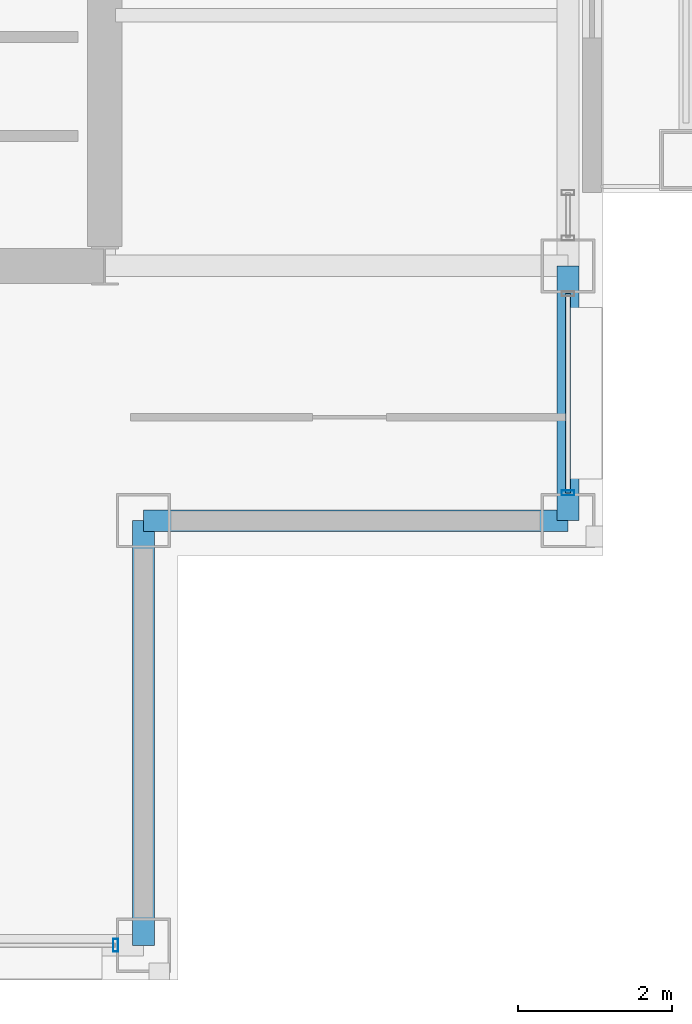
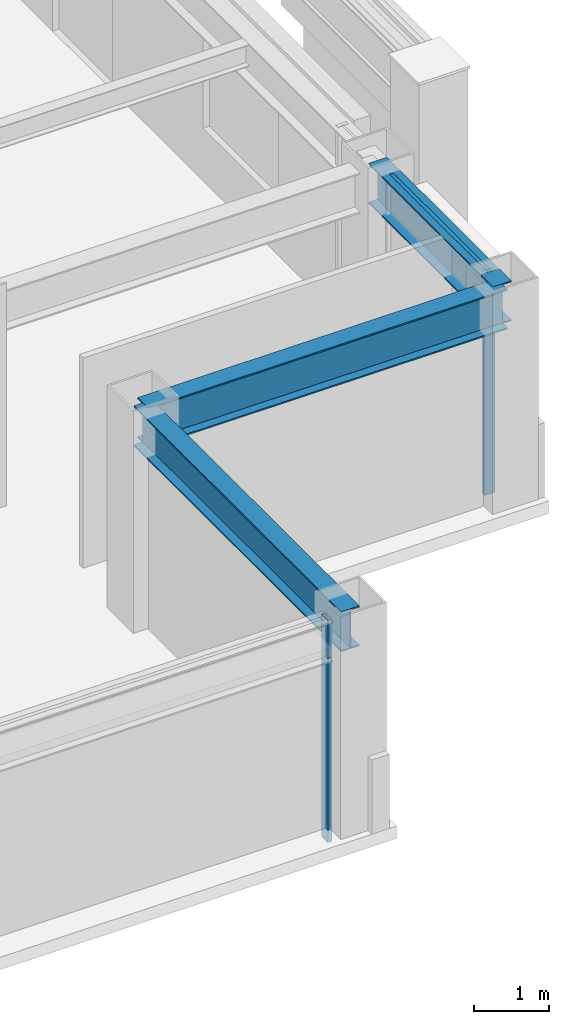
# One storey, part 12 of 29: 3 beams, 3 members, 2 elements without a shape of their own.
"""IFC4 building model written with IfcOpenShell, lengths in metres."""

from ifc_helpers import new_model, si_unit, direction, frame, origin, origin_2d, place, context, subcontext, project, spatial, hollow_rectangle, i_section, extrude, material, layer, layer_set, material_profile, profile_set, type_object, element, aggregate, save


model = new_model("IFC4")

# Units and contexts
model_context = context("Model", 3, precision=1e-05, world=origin(), true_north=direction((0.0, 1.0)))
body_context = subcontext(model_context, "Body", "Model", "MODEL_VIEW")
ifc_project = project(units=[si_unit("LENGTHUNIT", "METRE"), si_unit("AREAUNIT", "SQUARE_METRE"), si_unit("VOLUMEUNIT", "CUBIC_METRE"), si_unit("PLANEANGLEUNIT", "RADIAN"), si_unit("MASSUNIT", "GRAM", prefix="KILO")], contexts=[model_context])

# Site, building, storey
site_placement = place(None, origin())
site = spatial("IfcSite", under=ifc_project, at=site_placement, CompositionType="ELEMENT")
building_placement = place(site_placement, origin())
building = spatial("IfcBuilding", under=site, at=building_placement, Name="Brelmoor Portico Tower", CompositionType="ELEMENT")
storey_placement = place(building_placement, frame((0.0, 0.0, 201.89990234375)))
storey = spatial("IfcBuildingStorey", under=building, at=storey_placement, Name="L53", CompositionType="ELEMENT", Elevation=201.89990234375)

# Beams
ifc_material_1 = material(Name="Steel Q355B", Category="steel")
ifc_material_profile_1 = material_profile(ifc_material_1, i_section(OverallWidth=0.280029296875, OverallDepth=0.64990234375, WebThickness=0.012939453125, FlangeThickness=0.02197265625, at=origin_2d()), Name="HN 650x280x13x22")
ifc_profile_set_1 = profile_set([ifc_material_profile_1], Name="Steel Q355B")
beam_type = type_object("IfcBeamType", Name="BM-SP-650", PredefinedType="SPANDREL", material=ifc_profile_set_1)
for number, where, z_axis, x_axis, name in (
    (1, (15.050048828125, -13.050048828125, 3.0751953125), (1.0, 0.0, 0.0), (0.0, 1.0, 0.0), "L53 Perimeter Spandrel Beam SP-05"),
    (2, (15.050048828125, -18.550048828125, 3.0751953125), (0.0, 1.0, 0.0), (-1.0, 0.0, 0.0), "L53 Perimeter Spandrel Beam SP-16"),
):
    element("IfcBeam", number, at=place(storey_placement, frame(where, z_axis=z_axis, x_axis=x_axis)), inside=storey, type_object=beam_type, Name=name, PredefinedType="SPANDREL", context=body_context, shape_type="SweptSolid", body=[
        extrude(i_section(OverallWidth=0.280029296875, OverallDepth=0.64990234375, WebThickness=0.012939453125, FlangeThickness=0.02197265625, at=origin_2d()), origin(), (0.0, 0.0, 1.0), 5.5),
    ])
beam_placement = place(storey_placement, frame((20.550048828125, -13.050048828125, 3.0751953125), z_axis=(0.0, 1.0, 0.0), x_axis=(-1.0, 0.0, 0.0)))
element("IfcBeam", 3, at=beam_placement, inside=storey, type_object=beam_type, Name="L53 Perimeter Spandrel Beam SP-18", PredefinedType="SPANDREL", context=body_context, shape_type="SweptSolid", body=[
    extrude(i_section(OverallWidth=0.280029296875, OverallDepth=0.64990234375, WebThickness=0.012939453125, FlangeThickness=0.02197265625, at=origin_2d()), origin(), (0.0, 0.0, 1.0), 3.300048828125),
])

# Curtain wall, member
ifc_material_2 = material(Name="Anodised Aluminium Alloy 6063-T6", Category="aluminium")
ifc_layer = layer(ifc_material_2, 0.179931640625)
ifc_layer_set = layer_set([ifc_layer], Name="Anodised Aluminium Alloy 6063-T6")
curtain_wall_type = type_object("IfcCurtainWallType", Name="CW-TOWER-Z3-XB", PredefinedType="NOTDEFINED", material=ifc_layer_set)
curtain_wall_1_placement = place(storey_placement, origin())
curtain_wall_1 = element("IfcCurtainWall", 4, at=curtain_wall_1_placement, inside=storey, type_object=curtain_wall_type, Name="L53 Curtain Wall CW-L53-01-3", PredefinedType="NOTDEFINED")
ifc_material_profile_2 = material_profile(ifc_material_2, hollow_rectangle(XDim=0.06494140625, YDim=0.1650390625, WallThickness=0.00390625, at=origin_2d()), Name="ALU MULLION 65x165")
ifc_profile_set_2 = profile_set([ifc_material_profile_2], Name="Anodised Aluminium Alloy 6063-T6")
member_type_1 = type_object("IfcMemberType", Name="MB-CW-MULL-165", PredefinedType="MULLION", material=ifc_profile_set_2)
member_1_placement = place(storey_placement, frame((14.68994140625, -18.550048828125, -0.199951171875), z_axis=(0.0, 0.0, 1.0), x_axis=(1.0, 0.0, 0.0)))
member_1 = element("IfcMember", 5, at=member_1_placement, type_object=member_type_1, Name="CW-L53-01-3 Mullion 01", PredefinedType="MULLION", context=body_context, shape_type="SweptSolid", body=[
    extrude(hollow_rectangle(XDim=0.06494140625, YDim=0.1650390625, WallThickness=0.00390625, at=origin_2d()), origin(), (0.0, 0.0, 1.0), 3.60009765625),
])
aggregate(curtain_wall_1, [member_1])

# Curtain wall, members
curtain_wall_2_placement = place(storey_placement, origin())
curtain_wall_2 = element("IfcCurtainWall", 6, at=curtain_wall_2_placement, inside=storey, type_object=curtain_wall_type, Name="L53 Curtain Wall CW-L53-4L-1", PredefinedType="NOTDEFINED")
member_2_placement = place(storey_placement, frame((20.550048828125, -12.68994140625, -0.199951171875), z_axis=(0.0, 0.0, 1.0), x_axis=(0.0, 1.0, 0.0)))
member_2 = element("IfcMember", 7, at=member_2_placement, type_object=member_type_1, Name="CW-L53-4L-1 Mullion 00", PredefinedType="MULLION", context=body_context, shape_type="SweptSolid", body=[
    extrude(hollow_rectangle(XDim=0.06494140625, YDim=0.1650390625, WallThickness=0.00390625, at=origin_2d()), origin(), (0.0, 0.0, 1.0), 3.60009765625),
])
ifc_material_profile_3 = material_profile(ifc_material_2, hollow_rectangle(XDim=0.06005859375, YDim=0.125, WallThickness=0.00341796875, at=origin_2d()), Name="ALU TRANSOM 60x125")
ifc_profile_set_3 = profile_set([ifc_material_profile_3], Name="Anodised Aluminium Alloy 6063-T6")
member_type_2 = type_object("IfcMemberType", Name="MB-CW-TRAN-125", PredefinedType="USERDEFINED", material=ifc_profile_set_3)
member_3_placement = place(storey_placement, frame((20.550048828125, -12.68994140625, 3.337646484375), z_axis=(0.0, 1.0, 0.0), x_axis=(-1.0, 0.0, 0.0)))
member_3 = element("IfcMember", 8, at=member_3_placement, type_object=member_type_2, Name="CW-L53-4L-1 Transom 1-00", ObjectType="TRANSOM", PredefinedType="USERDEFINED", context=body_context, shape_type="SweptSolid", body=[
    extrude(hollow_rectangle(XDim=0.06005859375, YDim=0.125, WallThickness=0.00341796875, at=origin_2d()), origin(), (0.0, 0.0, 1.0), 2.579833984375),
])
aggregate(curtain_wall_2, [member_2, member_3])

save(model, "model.ifc")
